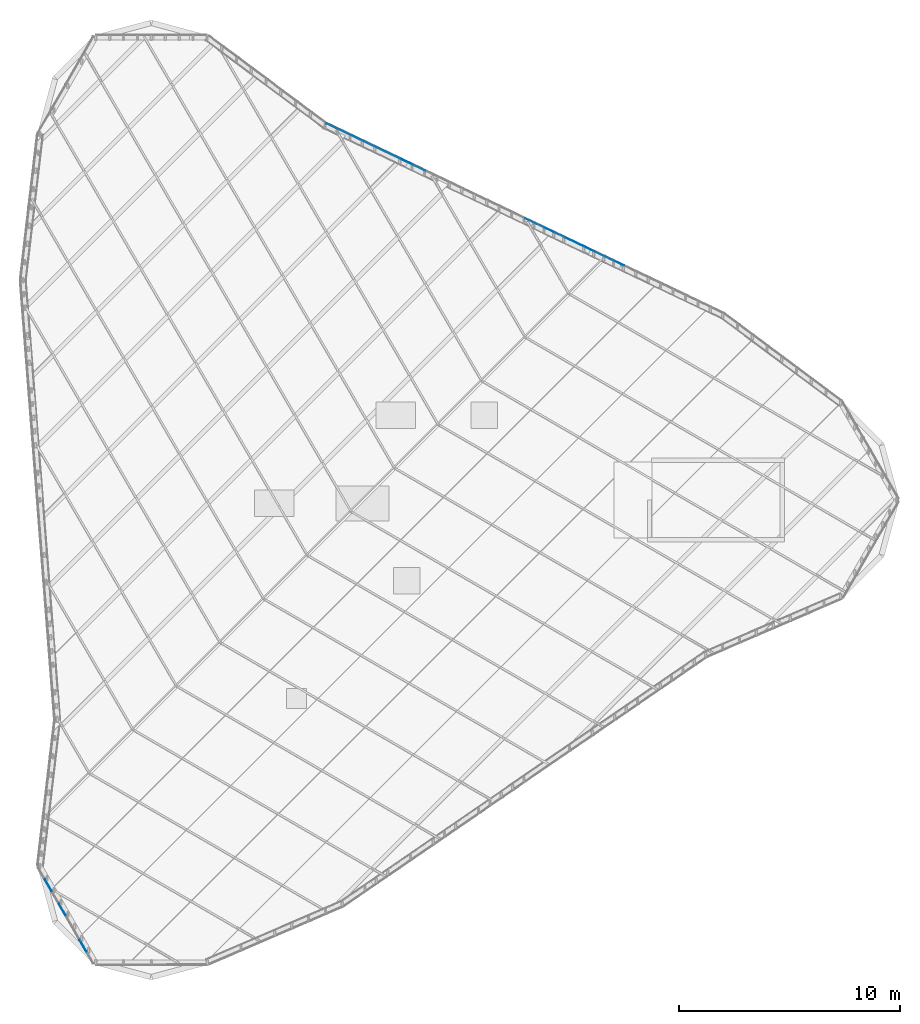
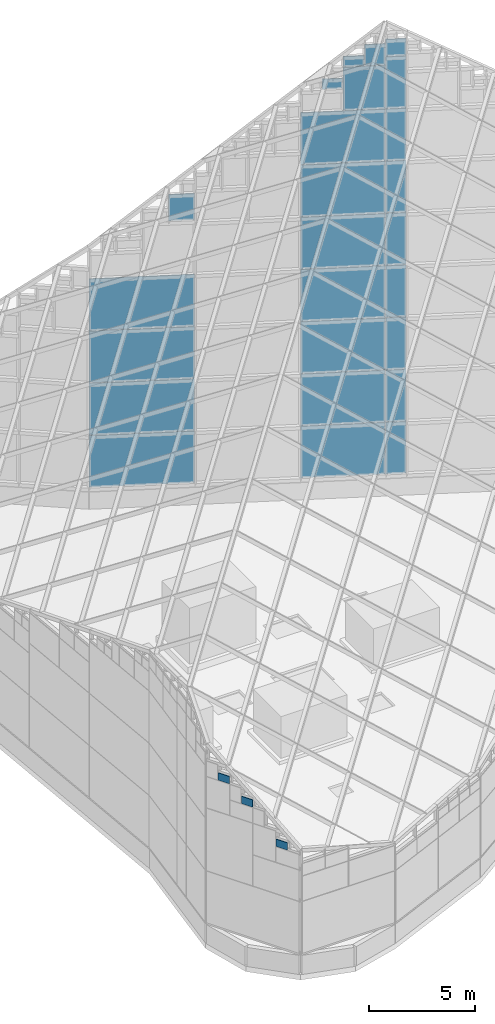
# One storey, part 22 of 29: 28 plates, 1 element without a shape of its own.
"""IFC4 building model written with IfcOpenShell, lengths in metres."""

from ifc_helpers import new_model, si_unit, direction, frame, origin, place, context, subcontext, project, spatial, polyline, outline, extrude, material, layer, layer_set, type_object, element, aggregate, save


model = new_model("IFC4")

# Units and contexts
model_context = context("Model", 3, precision=1e-05, world=origin(), true_north=direction((0.0, 1.0)))
body_context = subcontext(model_context, "Body", "Model", "MODEL_VIEW")
ifc_project = project(units=[si_unit("LENGTHUNIT", "METRE"), si_unit("AREAUNIT", "SQUARE_METRE"), si_unit("VOLUMEUNIT", "CUBIC_METRE"), si_unit("PLANEANGLEUNIT", "RADIAN"), si_unit("MASSUNIT", "GRAM", prefix="KILO")], contexts=[model_context])

# Site, building, storey
site_placement = place(None, origin())
site = spatial("IfcSite", under=ifc_project, at=site_placement, CompositionType="ELEMENT")
building_placement = place(site_placement, origin())
building = spatial("IfcBuilding", under=site, at=building_placement, Name="Tanit Gate Tower", CompositionType="ELEMENT")
storey_placement = place(building_placement, frame((0.0, 0.0, 445.300048828125)))
storey = spatial("IfcBuildingStorey", under=building, at=storey_placement, Name="ROOF", CompositionType="ELEMENT", Elevation=445.300048828125)

# Curtain wall, plates
ifc_material_1 = material(Name="Aluminium bronze anodised and glass", Category="aluminium")
curtain_wall_type = type_object("IfcCurtainWallType", Name="Curtain wall crown roof", PredefinedType="NOTDEFINED", material=ifc_material_1)
curtain_wall_placement = place(storey_placement, origin())
curtain_wall = element("IfcCurtainWall", 1, at=curtain_wall_placement, inside=storey, type_object=curtain_wall_type, Name="Crown lantern", PredefinedType="NOTDEFINED")
ifc_material_2 = material(Name="Glass tinted laminated safety", Category="glass")
ifc_layer = layer(ifc_material_2, 0.033935546875)
ifc_layer_set = layer_set([ifc_layer], Name="Glass panel 34 crown roof")
plate_type = type_object("IfcPlateType", Name="Glass panel 34 crown roof", PredefinedType="CURTAIN_PANEL", material=ifc_layer_set)
plate_1_placement = place(storey_placement, frame((11.852783203125, 10.63232421875, 1.21484375), z_axis=(0.431273165493, 0.902221401168, 0.0), x_axis=(-0.902221401168, 0.431273165493, 0.0)))
plate_1 = element("IfcPlate", 2, at=plate_1_placement, type_object=plate_type, Name="Lantern clerestory glass 4.1.1", PredefinedType="CURTAIN_PANEL", context=body_context, shape_type="SweptSolid", body=[
    extrude(outline(polyline([(0.0, 0.0), (0.9476393129701681, 0.0), (0.9476393129701681, 2.97021484375), (0.0, 2.97021484375), (0.0, 0.0)])), origin(), (0.0, 0.0, -1.0), 0.033935546875),
])
plate_2_placement = place(storey_placement, frame((11.852783203125, 10.63232421875, 4.21484375), z_axis=(0.431273165493, 0.902221401168, 0.0), x_axis=(-0.902221401168, 0.431273165493, 0.0)))
plate_2 = element("IfcPlate", 3, at=plate_2_placement, type_object=plate_type, Name="Lantern clerestory glass 4.2.1", PredefinedType="CURTAIN_PANEL", context=body_context, shape_type="SweptSolid", body=[
    extrude(outline(polyline([(0.0, 0.0), (0.9476393129701681, 0.0), (0.9476393129701681, 2.97021484375), (0.0, 2.97021484375), (0.0, 0.0)])), origin(), (0.0, 0.0, -1.0), 0.033935546875),
])
plate_3_placement = place(storey_placement, frame((11.852783203125, 10.63232421875, 7.21484375), z_axis=(0.431273165493, 0.902221401168, 0.0), x_axis=(-0.902221401168, 0.431273165493, 0.0)))
plate_3 = element("IfcPlate", 4, at=plate_3_placement, type_object=plate_type, Name="Lantern clerestory glass 4.3.1", PredefinedType="CURTAIN_PANEL", context=body_context, shape_type="SweptSolid", body=[
    extrude(outline(polyline([(0.0, 0.0), (0.9476393129701681, 0.0), (0.9476393129701681, 2.97021484375), (0.0, 2.97021484375), (0.0, 0.0)])), origin(), (0.0, 0.0, -1.0), 0.033935546875),
])
plate_4_placement = place(storey_placement, frame((11.852783203125, 10.63232421875, 10.21484375), z_axis=(0.431273165493, 0.902221401168, 0.0), x_axis=(-0.902221401168, 0.431273165493, 0.0)))
plate_4 = element("IfcPlate", 5, at=plate_4_placement, type_object=plate_type, Name="Lantern clerestory glass 4.4.1", PredefinedType="CURTAIN_PANEL", context=body_context, shape_type="SweptSolid", body=[
    extrude(outline(polyline([(0.0, 0.0), (0.9476393129701681, 0.0), (0.9476393129701681, 2.97021484375), (0.0, 2.97021484375), (0.0, 0.0)])), origin(), (0.0, 0.0, -1.0), 0.033935546875),
])
plate_5_placement = place(storey_placement, frame((11.852783203125, 10.63232421875, 13.21484375), z_axis=(0.431273165493, 0.902221401168, 0.0), x_axis=(-0.902221401168, 0.431273165493, 0.0)))
plate_5 = element("IfcPlate", 6, at=plate_5_placement, type_object=plate_type, Name="Lantern clerestory glass 4.5.1", PredefinedType="CURTAIN_PANEL", context=body_context, shape_type="SweptSolid", body=[
    extrude(outline(polyline([(0.0, 0.0), (0.9476393129701681, 0.0), (0.9476393129701681, 2.97021484375), (0.0, 2.97021484375), (0.0, 0.0)])), origin(), (0.0, 0.0, -1.0), 0.033935546875),
])
plate_6_placement = place(storey_placement, frame((11.852783203125, 10.63232421875, 16.21484375), z_axis=(0.431273165493, 0.902221401168, 0.0), x_axis=(-0.902221401168, 0.431273165493, 0.0)))
plate_6 = element("IfcPlate", 7, at=plate_6_placement, type_object=plate_type, Name="Lantern clerestory glass 4.6.1", PredefinedType="CURTAIN_PANEL", context=body_context, shape_type="SweptSolid", body=[
    extrude(outline(polyline([(0.0, 0.0), (0.9476393129701681, 0.0), (0.9476393129701681, 2.97021484375), (0.0, 2.97021484375), (0.0, 0.0)])), origin(), (0.0, 0.0, -1.0), 0.033935546875),
])
plate_7_placement = place(storey_placement, frame((11.852783203125, 10.63232421875, 19.21484375), z_axis=(0.431273165493, 0.902221401168, 0.0), x_axis=(-0.902221401168, 0.431273165493, 0.0)))
plate_7 = element("IfcPlate", 8, at=plate_7_placement, type_object=plate_type, Name="Lantern clerestory glass 4.7.1", PredefinedType="CURTAIN_PANEL", context=body_context, shape_type="SweptSolid", body=[
    extrude(outline(polyline([(0.0, 0.0), (0.9476393129701681, 0.0), (0.9476393129701681, 2.97021484375), (0.0, 2.97021484375), (0.0, 0.0)])), origin(), (0.0, 0.0, -1.0), 0.033935546875),
])
plate_8_placement = place(storey_placement, frame((11.852783203125, 10.63232421875, 22.21484375), z_axis=(0.431273165493, 0.902221401168, 0.0), x_axis=(-0.902221401168, 0.431273165493, 0.0)))
plate_8 = element("IfcPlate", 9, at=plate_8_placement, type_object=plate_type, Name="Lantern clerestory glass 4.8.1", PredefinedType="CURTAIN_PANEL", context=body_context, shape_type="SweptSolid", body=[
    extrude(outline(polyline([(0.0, 0.0), (0.9476393129701681, 0.0), (0.9476393129701681, 2.97021484375), (0.0, 2.97021484375), (0.0, 0.0)])), origin(), (0.0, 0.0, -1.0), 0.033935546875),
])
plate_9_placement = place(storey_placement, frame((11.852783203125, 10.63232421875, 25.21484375), z_axis=(0.431273165493, 0.902221401168, 0.0), x_axis=(-0.902221401168, 0.431273165493, 0.0)))
plate_9 = element("IfcPlate", 10, at=plate_9_placement, type_object=plate_type, Name="Lantern clerestory glass 4.9.1", PredefinedType="CURTAIN_PANEL", context=body_context, shape_type="SweptSolid", body=[
    extrude(outline(polyline([(0.0, 0.0), (0.9476393129701681, 0.0), (0.9476393129701681, 0.9702148437500002), (0.0, 0.9702148437500002), (0.0, 0.0)])), origin(), (0.0, 0.0, -1.0), 0.033935546875),
])
plate_10_placement = place(storey_placement, frame((10.970703125, 11.053955078125, 1.21484375), z_axis=(0.431060797, 0.902322885275, 0.0), x_axis=(-0.902322885275, 0.431060797, 0.0)))
plate_10 = element("IfcPlate", 11, at=plate_10_placement, type_object=plate_type, Name="Lantern clerestory glass 5.1.1", PredefinedType="CURTAIN_PANEL", context=body_context, shape_type="SweptSolid", body=[
    extrude(outline(polyline([(0.0, 0.0), (3.9838583517765356, 0.0), (3.9838583517765356, 2.97021484375), (0.0, 2.97021484375), (0.0, 0.0)])), origin(), (0.0, 0.0, -1.0), 0.033935546875),
])
plate_11_placement = place(storey_placement, frame((10.970703125, 11.053955078125, 4.21484375), z_axis=(0.431060797, 0.902322885275, 0.0), x_axis=(-0.902322885275, 0.431060797, 0.0)))
plate_11 = element("IfcPlate", 12, at=plate_11_placement, type_object=plate_type, Name="Lantern clerestory glass 5.2.1", PredefinedType="CURTAIN_PANEL", context=body_context, shape_type="SweptSolid", body=[
    extrude(outline(polyline([(0.0, 0.0), (3.9838583517765356, 0.0), (3.9838583517765356, 2.97021484375), (0.0, 2.97021484375), (0.0, 0.0)])), origin(), (0.0, 0.0, -1.0), 0.033935546875),
])
plate_12_placement = place(storey_placement, frame((10.970703125, 11.053955078125, 7.21484375), z_axis=(0.431060797, 0.902322885275, 0.0), x_axis=(-0.902322885275, 0.431060797, 0.0)))
plate_12 = element("IfcPlate", 13, at=plate_12_placement, type_object=plate_type, Name="Lantern clerestory glass 5.3.1", PredefinedType="CURTAIN_PANEL", context=body_context, shape_type="SweptSolid", body=[
    extrude(outline(polyline([(0.0, 0.0), (3.9838583517765356, 0.0), (3.9838583517765356, 2.97021484375), (0.0, 2.97021484375), (0.0, 0.0)])), origin(), (0.0, 0.0, -1.0), 0.033935546875),
])
plate_13_placement = place(storey_placement, frame((10.970703125, 11.053955078125, 10.21484375), z_axis=(0.431060797, 0.902322885275, 0.0), x_axis=(-0.902322885275, 0.431060797, 0.0)))
plate_13 = element("IfcPlate", 14, at=plate_13_placement, type_object=plate_type, Name="Lantern clerestory glass 5.4.1", PredefinedType="CURTAIN_PANEL", context=body_context, shape_type="SweptSolid", body=[
    extrude(outline(polyline([(0.0, 0.0), (3.9838583517765356, 0.0), (3.9838583517765356, 2.97021484375), (0.0, 2.97021484375), (0.0, 0.0)])), origin(), (0.0, 0.0, -1.0), 0.033935546875),
])
plate_14_placement = place(storey_placement, frame((10.970703125, 11.053955078125, 13.21484375), z_axis=(0.431060797, 0.902322885275, 0.0), x_axis=(-0.902322885275, 0.431060797, 0.0)))
plate_14 = element("IfcPlate", 15, at=plate_14_placement, type_object=plate_type, Name="Lantern clerestory glass 5.5.1", PredefinedType="CURTAIN_PANEL", context=body_context, shape_type="SweptSolid", body=[
    extrude(outline(polyline([(0.0, 0.0), (3.9838583517765356, 0.0), (3.9838583517765356, 2.97021484375), (0.0, 2.97021484375), (0.0, 0.0)])), origin(), (0.0, 0.0, -1.0), 0.033935546875),
])
plate_15_placement = place(storey_placement, frame((10.970703125, 11.053955078125, 16.21484375), z_axis=(0.431060797, 0.902322885275, 0.0), x_axis=(-0.902322885275, 0.431060797, 0.0)))
plate_15 = element("IfcPlate", 16, at=plate_15_placement, type_object=plate_type, Name="Lantern clerestory glass 5.6.1", PredefinedType="CURTAIN_PANEL", context=body_context, shape_type="SweptSolid", body=[
    extrude(outline(polyline([(0.0, 0.0), (3.9838583517765356, 0.0), (3.9838583517765356, 2.97021484375), (0.0, 2.97021484375), (0.0, 0.0)])), origin(), (0.0, 0.0, -1.0), 0.033935546875),
])
plate_16_placement = place(storey_placement, frame((10.970703125, 11.053955078125, 19.21484375), z_axis=(0.431060797, 0.902322885275, 0.0), x_axis=(-0.902322885275, 0.431060797, 0.0)))
plate_16 = element("IfcPlate", 17, at=plate_16_placement, type_object=plate_type, Name="Lantern clerestory glass 5.7.1", PredefinedType="CURTAIN_PANEL", context=body_context, shape_type="SweptSolid", body=[
    extrude(outline(polyline([(0.0, 0.0), (3.9838583517765356, 0.0), (3.9838583517765356, 2.97021484375), (0.0, 2.97021484375), (0.0, 0.0)])), origin(), (0.0, 0.0, -1.0), 0.033935546875),
])
plate_17_placement = place(storey_placement, frame((10.970703125, 11.053955078125, 22.21484375), z_axis=(0.431035910295, 0.902334773815, 0.0), x_axis=(-0.902334773815, 0.431035910295, 0.0)))
plate_17 = element("IfcPlate", 18, at=plate_17_placement, type_object=plate_type, Name="Lantern clerestory glass 5.8.1", PredefinedType="CURTAIN_PANEL", context=body_context, shape_type="SweptSolid", body=[
    extrude(outline(polyline([(0.0, 0.0), (1.9767512657284017, 0.0), (1.9767512657284017, 2.47021484375), (0.0, 2.47021484375), (0.0, 0.0)])), origin(), (0.0, 0.0, -1.0), 0.033935546875),
])
plate_18_placement = place(storey_placement, frame((9.159912109375, 11.9189453125, 23.46484375), z_axis=(0.431091637619, 0.90230815134, 0.0), x_axis=(-0.90230815134, 0.431091637619, 0.0)))
plate_18 = element("IfcPlate", 19, at=plate_18_placement, type_object=plate_type, Name="Lantern clerestory glass 5.8.3", PredefinedType="CURTAIN_PANEL", context=body_context, shape_type="SweptSolid", body=[
    extrude(outline(polyline([(0.0, 0.0), (0.9735232552707763, 0.0), (0.9735232552707763, 0.59521484375), (0.0, 0.59521484375), (0.0, 0.0)])), origin(), (0.0, 0.0, -1.0), 0.033935546875),
])
plate_19_placement = place(storey_placement, frame((10.970703125, 11.053955078125, 24.71484375), z_axis=(0.430887429078, 0.902405686741, 0.0), x_axis=(-0.902405686741, 0.430887429078, 0.0)))
plate_19 = element("IfcPlate", 20, at=plate_19_placement, type_object=plate_type, Name="Lantern clerestory glass 5.8.6", PredefinedType="CURTAIN_PANEL", context=body_context, shape_type="SweptSolid", body=[
    extrude(outline(polyline([(0.0, 0.0), (0.973418033215389, 0.0), (0.973418033215389, 1.22021484375), (0.0, 1.22021484375), (0.0, 0.0)])), origin(), (0.0, 0.0, -1.0), 0.033935546875),
])
plate_20_placement = place(storey_placement, frame((10.065185546875, 11.486328125, 24.71484375), z_axis=(0.431189205139, 0.902261530473, 0.0), x_axis=(-0.902261530473, 0.431189205139, 0.0)))
plate_20 = element("IfcPlate", 21, at=plate_20_placement, type_object=plate_type, Name="Lantern clerestory glass 5.8.7", PredefinedType="CURTAIN_PANEL", context=body_context, shape_type="SweptSolid", body=[
    extrude(outline(polyline([(0.0, 0.0), (0.9733029708851453, 0.0), (0.9733029708851453, 0.59521484375), (0.0, 0.59521484375), (0.0, 0.0)])), origin(), (0.0, 0.0, -1.0), 0.033935546875),
])
plate_21_placement = place(storey_placement, frame((2.844970703125, 14.935791015625, 1.21484375), z_axis=(0.431100266886, 0.902304028524, 0.0), x_axis=(-0.902304028524, 0.431100266886, 0.0)))
plate_21 = element("IfcPlate", 22, at=plate_21_placement, type_object=plate_type, Name="Lantern clerestory glass 7.1.1", PredefinedType="CURTAIN_PANEL", context=body_context, shape_type="SweptSolid", body=[
    extrude(outline(polyline([(0.0, 0.0), (4.961527931942058, 0.0), (4.961527931942058, 2.97021484375), (0.0, 2.97021484375), (0.0, 0.0)])), origin(), (0.0, 0.0, -1.0), 0.033935546875),
])
plate_22_placement = place(storey_placement, frame((2.844970703125, 14.935791015625, 4.21484375), z_axis=(0.431100266886, 0.902304028524, 0.0), x_axis=(-0.902304028524, 0.431100266886, 0.0)))
plate_22 = element("IfcPlate", 23, at=plate_22_placement, type_object=plate_type, Name="Lantern clerestory glass 7.2.1", PredefinedType="CURTAIN_PANEL", context=body_context, shape_type="SweptSolid", body=[
    extrude(outline(polyline([(0.0, 0.0), (4.961527931942058, 0.0), (4.961527931942058, 2.97021484375), (0.0, 2.97021484375), (0.0, 0.0)])), origin(), (0.0, 0.0, -1.0), 0.033935546875),
])
plate_23_placement = place(storey_placement, frame((2.844970703125, 14.935791015625, 7.21484375), z_axis=(0.431100266886, 0.902304028524, 0.0), x_axis=(-0.902304028524, 0.431100266886, 0.0)))
plate_23 = element("IfcPlate", 24, at=plate_23_placement, type_object=plate_type, Name="Lantern clerestory glass 7.3.1", PredefinedType="CURTAIN_PANEL", context=body_context, shape_type="SweptSolid", body=[
    extrude(outline(polyline([(0.0, 0.0), (4.961527931942058, 0.0), (4.961527931942058, 2.97021484375), (0.0, 2.97021484375), (0.0, 0.0)])), origin(), (0.0, 0.0, -1.0), 0.033935546875),
])
plate_24_placement = place(storey_placement, frame((2.844970703125, 14.935791015625, 10.21484375), z_axis=(0.431100266886, 0.902304028524, 0.0), x_axis=(-0.902304028524, 0.431100266886, 0.0)))
plate_24 = element("IfcPlate", 25, at=plate_24_placement, type_object=plate_type, Name="Lantern clerestory glass 7.4.1", PredefinedType="CURTAIN_PANEL", context=body_context, shape_type="SweptSolid", body=[
    extrude(outline(polyline([(0.0, 0.0), (4.961527931942058, 0.0), (4.961527931942058, 2.97021484375), (0.0, 2.97021484375), (0.0, 0.0)])), origin(), (0.0, 0.0, -1.0), 0.033935546875),
])
plate_25_placement = place(storey_placement, frame((2.844970703125, 14.935791015625, 16.310546875), z_axis=(0.431185938647, 0.902263091516, 0.0), x_axis=(-0.902263091516, 0.431185938647, 0.0)))
plate_25 = element("IfcPlate", 26, at=plate_25_placement, type_object=plate_type, Name="Lantern clerestory glass 7.5.6", PredefinedType="CURTAIN_PANEL", context=body_context, shape_type="SweptSolid", body=[
    extrude(outline(polyline([(0.0, 0.0), (1.2179118967153189, 0.0), (1.2179118967153189, 1.517822265625), (0.0, 1.517822265625), (0.0, 0.0)])), origin(), (0.0, 0.0, -1.0), 0.033935546875),
])
plate_26_placement = place(storey_placement, frame((-12.831787109375, -19.9345703125, 6.924072265625), z_axis=(-0.866056883327, -0.499945471869, 0.0), x_axis=(0.499945471869, -0.866056883327, 0.0)))
plate_26 = element("IfcPlate", 27, at=plate_26_placement, type_object=plate_type, Name="Lantern clerestory glass 21.2.5", PredefinedType="CURTAIN_PANEL", context=body_context, shape_type="SweptSolid", body=[
    extrude(outline(polyline([(0.0, 0.0), (0.6001631077953369, 0.0), (0.6001631077953369, 0.42138671875), (0.0, 0.42138671875), (0.0, 0.0)])), origin(), (0.0, 0.0, -1.0), 0.033935546875),
])
plate_27_placement = place(storey_placement, frame((-13.776123046875, -18.296875, 8.72998046875), z_axis=(-0.866232998003, -0.499640263761, 0.0), x_axis=(0.499640263761, -0.866232998003, 0.0)))
plate_27 = element("IfcPlate", 28, at=plate_27_placement, type_object=plate_type, Name="Lantern clerestory glass 21.2.9", PredefinedType="CURTAIN_PANEL", context=body_context, shape_type="SweptSolid", body=[
    extrude(outline(polyline([(0.0, 0.0), (0.6000410880484303, 0.0), (0.6000410880484303, 0.421630859375), (0.0, 0.421630859375), (0.0, 0.0)])), origin(), (0.0, 0.0, -1.0), 0.033935546875),
])
plate_28_placement = place(storey_placement, frame((-14.40576171875, -17.205078125, 9.633056640625), z_axis=(-0.866232998003, -0.499640263761, 0.0), x_axis=(0.499640263761, -0.866232998003, 0.0)))
plate_28 = element("IfcPlate", 29, at=plate_28_placement, type_object=plate_type, Name="Lantern clerestory glass 21.2.11", PredefinedType="CURTAIN_PANEL", context=body_context, shape_type="SweptSolid", body=[
    extrude(outline(polyline([(0.0, 0.0), (0.6000410880484301, 0.0), (0.6000410880484301, 0.42138671875), (0.0, 0.42138671875), (0.0, 0.0)])), origin(), (0.0, 0.0, -1.0), 0.033935546875),
])
aggregate(curtain_wall, [plate_1, plate_2, plate_3, plate_4, plate_5, plate_6, plate_7, plate_8, plate_9, plate_10, plate_11, plate_12, plate_13, plate_14, plate_15, plate_16, plate_17, plate_18, plate_19, plate_20, plate_21, plate_22, plate_23, plate_24, plate_25, plate_26, plate_27, plate_28])

save(model, "model.ifc")
